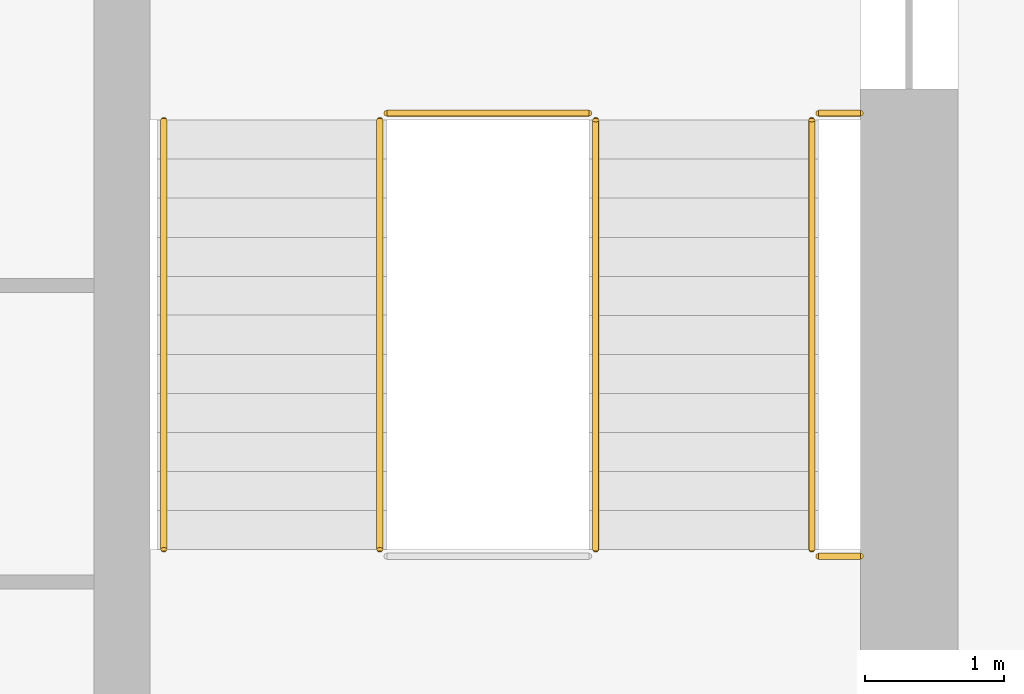
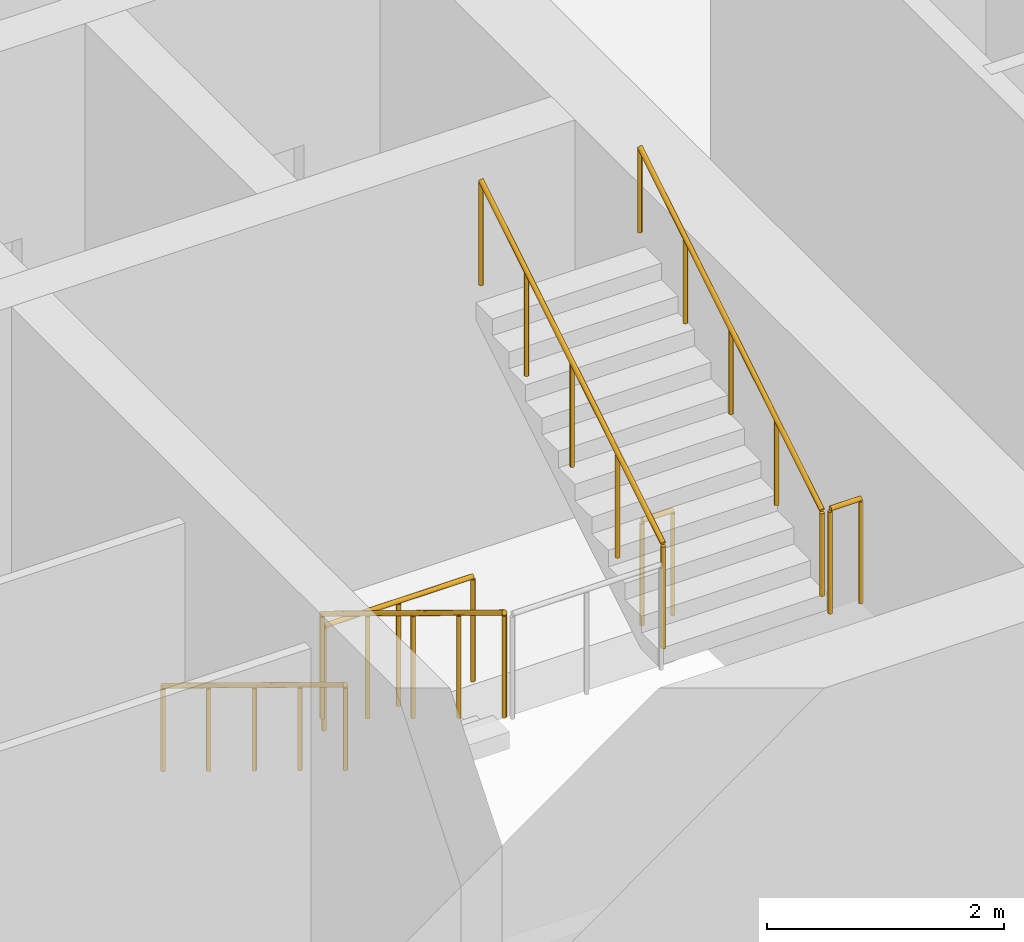
# One storey, part 12 of 17: 7 railings.
"""IFC4 building model written with IfcOpenShell, lengths in metres."""

from ifc_helpers import new_model, si_unit, direction, frame, origin, origin_2d, place, context, subcontext, project, spatial, circle, extrude, material, type_object, element, save


model = new_model("IFC4")

# Units and contexts
model_context = context("Model", 3, precision=1e-05, world=origin(), true_north=direction((0.0, 1.0)))
body_context = subcontext(model_context, "Body", "Model", "MODEL_VIEW")
ifc_project = project(units=[si_unit("LENGTHUNIT", "METRE"), si_unit("AREAUNIT", "SQUARE_METRE"), si_unit("VOLUMEUNIT", "CUBIC_METRE"), si_unit("PLANEANGLEUNIT", "RADIAN"), si_unit("MASSUNIT", "GRAM", prefix="KILO")], contexts=[model_context])

# Site, building, storey
site_placement = place(None, origin())
site = spatial("IfcSite", under=ifc_project, at=site_placement, CompositionType="ELEMENT")
building_placement = place(site_placement, origin())
building = spatial("IfcBuilding", under=site, at=building_placement, Name="Corbel Stack Research Tower", CompositionType="ELEMENT")
storey_placement = place(building_placement, frame((0.0, 0.0, 243.89990234375)))
storey = spatial("IfcBuildingStorey", under=building, at=storey_placement, Name="L55", CompositionType="ELEMENT", Elevation=243.89990234375)

# Railings
ifc_material_1 = material(Name="Steel S355", Category="steel")
railing_type_1 = type_object("IfcRailingType", Name="Stair guard 1100", PredefinedType="GUARDRAIL", material=ifc_material_1)
railing_1_placement = place(storey_placement, frame((13.85009765625, -2.39990234375, 0.1708984375)))
element("IfcRailing", 1, at=railing_1_placement, inside=storey, type_object=railing_type_1, Name="L55 ST-E1 stair guard 1", PredefinedType="GUARDRAIL", context=body_context, shape_type="SweptSolid", body=[
    extrude(circle(Radius=0.02392578125, at=origin_2d()), frame((0.0, 0.0, 1.076171875), z_axis=(0.0, -0.853666305674, 0.52082035152), x_axis=(1.0, 0.0, 0.0)), (0.0, 0.0, 1.0), 3.608154296875),
    extrude(circle(Radius=0.02099609375, at=origin_2d()), origin(), (0.0, 0.0, 1.0), 1.052001953125),
    extrude(circle(Radius=0.02099609375, at=origin_2d()), frame((0.0, -0.77001953125, 0.4697265625)), (0.0, 0.0, 1.0), 1.052001953125),
    extrude(circle(Radius=0.02099609375, at=origin_2d()), frame((0.0, -1.5400390625, 0.939453125)), (0.0, 0.0, 1.0), 1.052001953125),
    extrude(circle(Radius=0.02099609375, at=origin_2d()), frame((0.0, -2.31005859375, 1.409423828125)), (0.0, 0.0, 1.0), 1.052001953125),
    extrude(circle(Radius=0.02099609375, at=origin_2d()), frame((0.0, -3.080078125, 1.879150390625)), (0.0, 0.0, 1.0), 1.052001953125),
])
railing_2_placement = place(storey_placement, frame((17.0, -5.530029296875, 2.050048828125)))
element("IfcRailing", 2, at=railing_2_placement, inside=storey, type_object=railing_type_1, Name="L55 ST-E1 stair guard 3", PredefinedType="GUARDRAIL", context=body_context, shape_type="SweptSolid", body=[
    extrude(circle(Radius=0.02392578125, at=origin_2d()), frame((0.0, 0.0, 1.076171875), z_axis=(1.0, 0.0, 0.0), x_axis=(0.0, 1.0, 0.0)), (0.0, 0.0, 1.0), 0.300048828125),
    extrude(circle(Radius=0.02099609375, at=origin_2d()), origin(), (0.0, 0.0, 1.0), 1.052001953125),
    extrude(circle(Radius=0.02099609375, at=origin_2d()), frame((0.300048828125, 0.0, 0.0)), (0.0, 0.0, 1.0), 1.052001953125),
])
railing_3_placement = place(storey_placement, frame((15.39990234375, -5.47998046875, 2.220947265625)))
element("IfcRailing", 3, at=railing_3_placement, inside=storey, type_object=railing_type_1, Name="L55 ST-E1 stair guard 4", PredefinedType="GUARDRAIL", context=body_context, shape_type="SweptSolid", body=[
    extrude(circle(Radius=0.02392578125, at=origin_2d()), frame((0.0, 0.0, 1.076171875), z_axis=(0.0, 0.853666305674, 0.52082035152), x_axis=(-1.0, 0.0, 0.0)), (0.0, 0.0, 1.0), 3.608154296875),
    extrude(circle(Radius=0.02099609375, at=origin_2d()), origin(), (0.0, 0.0, 1.0), 1.052001953125),
    extrude(circle(Radius=0.02099609375, at=origin_2d()), frame((0.0, 0.77001953125, 0.4697265625)), (0.0, 0.0, 1.0), 1.052001953125),
    extrude(circle(Radius=0.02099609375, at=origin_2d()), frame((0.0, 1.5400390625, 0.939453125)), (0.0, 0.0, 1.0), 1.052001953125),
    extrude(circle(Radius=0.02099609375, at=origin_2d()), frame((0.0, 2.31005859375, 1.409423828125)), (0.0, 0.0, 1.0), 1.052001953125),
    extrude(circle(Radius=0.02099609375, at=origin_2d()), frame((0.0, 3.080078125, 1.879150390625)), (0.0, 0.0, 1.0), 1.052001953125),
])
railing_4_placement = place(storey_placement, frame((13.89990234375, -2.35009765625, 0.0)))
element("IfcRailing", 4, at=railing_4_placement, inside=storey, type_object=railing_type_1, Name="L55 ST-E1 stair guard 5", PredefinedType="GUARDRAIL", context=body_context, shape_type="SweptSolid", body=[
    extrude(circle(Radius=0.02392578125, at=origin_2d()), frame((0.0, 0.0, 1.076171875), z_axis=(1.0, 0.0, 0.0), x_axis=(0.0, 1.0, 0.0)), (0.0, 0.0, 1.0), 1.4501953125),
    extrude(circle(Radius=0.02099609375, at=origin_2d()), origin(), (0.0, 0.0, 1.0), 1.052001953125),
    extrude(circle(Radius=0.02099609375, at=origin_2d()), frame((0.72509765625, 0.0, 0.0)), (0.0, 0.0, 1.0), 1.052001953125),
    extrude(circle(Radius=0.02099609375, at=origin_2d()), frame((1.4501953125, 0.0, 0.0)), (0.0, 0.0, 1.0), 1.052001953125),
])
railing_5_placement = place(storey_placement, frame((17.0, -2.35009765625, 0.0)))
element("IfcRailing", 5, at=railing_5_placement, inside=storey, type_object=railing_type_1, Name="L55 ST-E1 stair guard 6", PredefinedType="GUARDRAIL", context=body_context, shape_type="SweptSolid", body=[
    extrude(circle(Radius=0.02392578125, at=origin_2d()), frame((0.0, 0.0, 1.076171875), z_axis=(1.0, 0.0, 0.0), x_axis=(0.0, 1.0, 0.0)), (0.0, 0.0, 1.0), 0.300048828125),
    extrude(circle(Radius=0.02099609375, at=origin_2d()), origin(), (0.0, 0.0, 1.0), 1.052001953125),
    extrude(circle(Radius=0.02099609375, at=origin_2d()), frame((0.300048828125, 0.0, 0.0)), (0.0, 0.0, 1.0), 1.052001953125),
])
ifc_material_2 = material(Name="Steel S355", Category="steel")
railing_type_2 = type_object("IfcRailingType", Name="Stair handrail 900", PredefinedType="HANDRAIL", material=ifc_material_2)
railing_6_placement = place(storey_placement, frame((12.300048828125, -2.39990234375, 0.1708984375)))
element("IfcRailing", 6, at=railing_6_placement, inside=storey, type_object=railing_type_2, Name="L55 ST-E1 stair handrail 1", PredefinedType="HANDRAIL", context=body_context, shape_type="SweptSolid", body=[
    extrude(circle(Radius=0.02392578125, at=origin_2d()), frame((0.0, 0.0, 0.8759765625), z_axis=(0.0, -0.853666305674, 0.52082035152), x_axis=(1.0, 0.0, 0.0)), (0.0, 0.0, 1.0), 3.608154296875),
    extrude(circle(Radius=0.02099609375, at=origin_2d()), origin(), (0.0, 0.0, 1.0), 0.851806640625),
    extrude(circle(Radius=0.02099609375, at=origin_2d()), frame((0.0, -0.77001953125, 0.4697265625)), (0.0, 0.0, 1.0), 0.851806640625),
    extrude(circle(Radius=0.02099609375, at=origin_2d()), frame((0.0, -1.5400390625, 0.939453125)), (0.0, 0.0, 1.0), 0.851806640625),
    extrude(circle(Radius=0.02099609375, at=origin_2d()), frame((0.0, -2.31005859375, 1.409423828125)), (0.0, 0.0, 1.0), 0.851806640625),
    extrude(circle(Radius=0.02099609375, at=origin_2d()), frame((0.0, -3.080078125, 1.879150390625)), (0.0, 0.0, 1.0), 0.851806640625),
])
railing_7_placement = place(storey_placement, frame((16.949951171875, -5.47998046875, 2.220947265625)))
element("IfcRailing", 7, at=railing_7_placement, inside=storey, type_object=railing_type_2, Name="L55 ST-E1 stair handrail 2", PredefinedType="HANDRAIL", context=body_context, shape_type="SweptSolid", body=[
    extrude(circle(Radius=0.02392578125, at=origin_2d()), frame((0.0, 0.0, 0.8759765625), z_axis=(0.0, 0.853666305674, 0.52082035152), x_axis=(-1.0, 0.0, 0.0)), (0.0, 0.0, 1.0), 3.608154296875),
    extrude(circle(Radius=0.02099609375, at=origin_2d()), origin(), (0.0, 0.0, 1.0), 0.851806640625),
    extrude(circle(Radius=0.02099609375, at=origin_2d()), frame((0.0, 0.77001953125, 0.4697265625)), (0.0, 0.0, 1.0), 0.851806640625),
    extrude(circle(Radius=0.02099609375, at=origin_2d()), frame((0.0, 1.5400390625, 0.939453125)), (0.0, 0.0, 1.0), 0.851806640625),
    extrude(circle(Radius=0.02099609375, at=origin_2d()), frame((0.0, 2.31005859375, 1.409423828125)), (0.0, 0.0, 1.0), 0.851806640625),
    extrude(circle(Radius=0.02099609375, at=origin_2d()), frame((0.0, 3.080078125, 1.879150390625)), (0.0, 0.0, 1.0), 0.851806640625),
])

save(model, "model.ifc")
